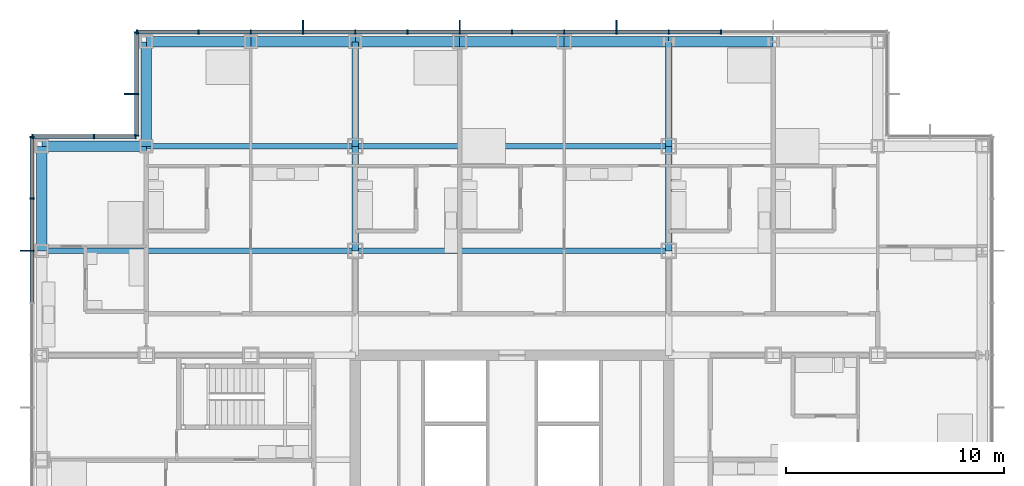
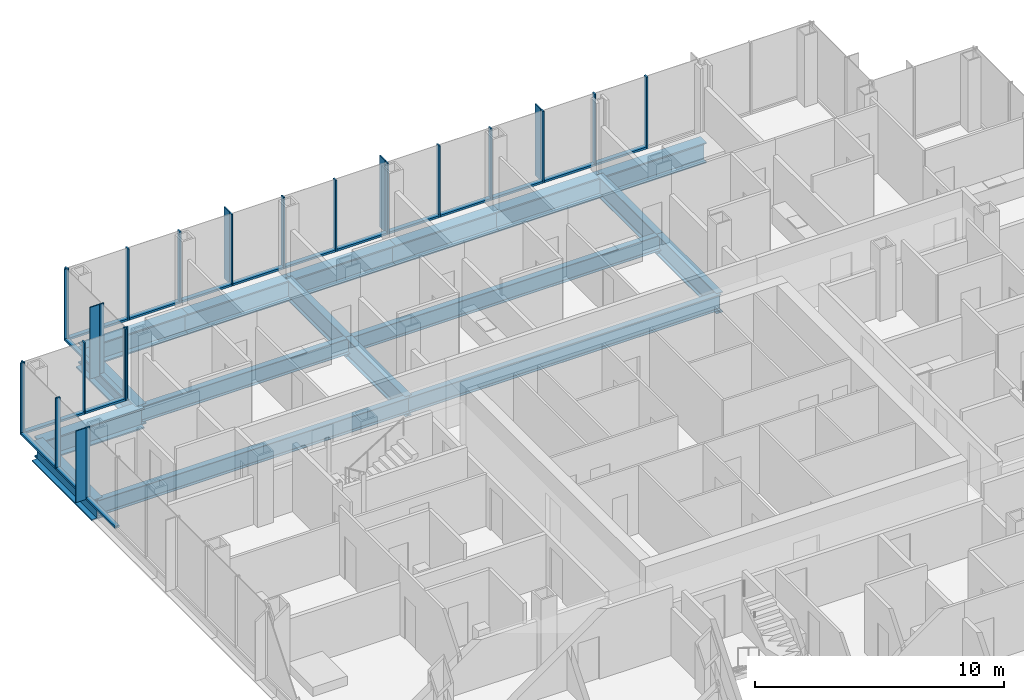
# One storey, part 10 of 21: 44 members, 17 beams, 4 elements without a shape of their own.
"""IFC4 building model written with IfcOpenShell, lengths in metres."""

from ifc_helpers import new_model, si_unit, direction, frame, origin, origin_2d, place, context, subcontext, project, spatial, rectangle, i_section, extrude, material, material_profile, profile_set, type_object, element, aggregate, save


model = new_model("IFC4")

# Units and contexts
model_context = context("Model", 3, precision=1e-05, world=origin(), true_north=direction((0.0, 1.0)))
body_context = subcontext(model_context, "Body", "Model", "MODEL_VIEW")
ifc_project = project(units=[si_unit("LENGTHUNIT", "METRE"), si_unit("AREAUNIT", "SQUARE_METRE"), si_unit("VOLUMEUNIT", "CUBIC_METRE"), si_unit("PLANEANGLEUNIT", "RADIAN"), si_unit("MASSUNIT", "GRAM", prefix="KILO")], contexts=[model_context])

# Site, building, storey
site_placement = place(None, origin())
site = spatial("IfcSite", under=ifc_project, at=site_placement, CompositionType="ELEMENT")
building_placement = place(site_placement, origin())
building = spatial("IfcBuilding", under=site, at=building_placement, Name="Kvirike Care Tower", CompositionType="ELEMENT")
storey_placement = place(building_placement, frame((0.0, 0.0, 30.5)))
storey = spatial("IfcBuildingStorey", under=building, at=storey_placement, Name="L07", CompositionType="ELEMENT", Elevation=30.5)

# Curtain wall, member
ifc_material_1 = material(Name="Anodised aluminium stick system", Category="aluminium")
curtain_wall_type = type_object("IfcCurtainWallType", Name="CW-A STICK CURTAIN WALL", PredefinedType="NOTDEFINED", material=ifc_material_1)
curtain_wall_1_placement = place(storey_placement, origin())
curtain_wall_1 = element("IfcCurtainWall", 1, at=curtain_wall_1_placement, inside=storey, type_object=curtain_wall_type, Name="Curtain wall L07 face 1", PredefinedType="NOTDEFINED")
ifc_material_2 = material(Name="Bronze anodised aluminium fin", Category="aluminium")
ifc_material_profile_1 = material_profile(ifc_material_2, rectangle(XDim=0.050048828125, YDim=0.449951171875, at=origin_2d()), Name="BRONZE FIN 450")
ifc_profile_set_1 = profile_set([ifc_material_profile_1], Name="Bronze anodised aluminium fin")
member_type_1 = type_object("IfcMemberType", Name="BRONZE FIN 450", PredefinedType="USERDEFINED", material=ifc_profile_set_1)
member_1_placement = place(storey_placement, frame((-0.77490234375, 48.0, 0.0), z_axis=(0.0, 0.0, 1.0), x_axis=(0.0, -1.0, 0.0)))
member_1 = element("IfcMember", 2, at=member_1_placement, type_object=member_type_1, Name="Bronze fin L07 face 1.3", ObjectType="FIN", PredefinedType="USERDEFINED", context=body_context, shape_type="SweptSolid", body=[
    extrude(rectangle(XDim=0.050048828125, YDim=0.449951171875, at=origin_2d()), origin(), (0.0, 0.0, 1.0), 3.5),
])

# Curtain wall, members
curtain_wall_2_placement = place(storey_placement, origin())
curtain_wall_2 = element("IfcCurtainWall", 3, at=curtain_wall_2_placement, inside=storey, type_object=curtain_wall_type, Name="Curtain wall L07 face 10", PredefinedType="NOTDEFINED")
member_2_placement = place(storey_placement, frame((26.39990234375, 58.375, 0.0), z_axis=(0.0, 0.0, 1.0), x_axis=(-1.0, 0.0, 0.0)))
member_2 = element("IfcMember", 4, at=member_2_placement, type_object=member_type_1, Name="Bronze fin L07 face 10.6", ObjectType="FIN", PredefinedType="USERDEFINED", context=body_context, shape_type="SweptSolid", body=[
    extrude(rectangle(XDim=0.050048828125, YDim=0.449951171875, at=origin_2d()), origin(), (0.0, 0.0, 1.0), 3.5),
])
member_3_placement = place(storey_placement, frame((19.199951171875, 58.375, 0.0), z_axis=(0.0, 0.0, 1.0), x_axis=(-1.0, 0.0, 0.0)))
member_3 = element("IfcMember", 5, at=member_3_placement, type_object=member_type_1, Name="Bronze fin L07 face 10.9", ObjectType="FIN", PredefinedType="USERDEFINED", context=body_context, shape_type="SweptSolid", body=[
    extrude(rectangle(XDim=0.050048828125, YDim=0.449951171875, at=origin_2d()), origin(), (0.0, 0.0, 1.0), 3.5),
])
member_4_placement = place(storey_placement, frame((12.0, 58.375, 0.0), z_axis=(0.0, 0.0, 1.0), x_axis=(-1.0, 0.0, 0.0)))
member_4 = element("IfcMember", 6, at=member_4_placement, type_object=member_type_1, Name="Bronze fin L07 face 10.12", ObjectType="FIN", PredefinedType="USERDEFINED", context=body_context, shape_type="SweptSolid", body=[
    extrude(rectangle(XDim=0.050048828125, YDim=0.449951171875, at=origin_2d()), origin(), (0.0, 0.0, 1.0), 3.5),
])

# Curtain wall, member
curtain_wall_3_placement = place(storey_placement, origin())
curtain_wall_3 = element("IfcCurtainWall", 7, at=curtain_wall_3_placement, inside=storey, type_object=curtain_wall_type, Name="Curtain wall L07 face 11", PredefinedType="NOTDEFINED")
member_5_placement = place(storey_placement, frame((4.02490234375, 55.199951171875, 0.0), z_axis=(0.0, 0.0, 1.0), x_axis=(0.0, -1.0, 0.0)))
member_5 = element("IfcMember", 8, at=member_5_placement, type_object=member_type_1, Name="Bronze fin L07 face 11.2", ObjectType="FIN", PredefinedType="USERDEFINED", context=body_context, shape_type="SweptSolid", body=[
    extrude(rectangle(XDim=0.050048828125, YDim=0.449951171875, at=origin_2d()), origin(), (0.0, 0.0, 1.0), 3.5),
])

# Member
ifc_material_3 = material(Name="Bronze anodised aluminium mullion", Category="aluminium")
ifc_material_profile_2 = material_profile(ifc_material_3, rectangle(XDim=0.06494140625, YDim=0.199951171875, at=origin_2d()), Name="CW-A MULLION 65x200")
ifc_profile_set_2 = profile_set([ifc_material_profile_2], Name="Bronze anodised aluminium mullion")
member_type_2 = type_object("IfcMemberType", Name="CW-A MULLION 65x200", PredefinedType="MULLION", material=ifc_profile_set_2)
member_6_placement = place(storey_placement, frame((-0.449951171875, 53.217529296875, 0.0), z_axis=(0.0, 0.0, 1.0), x_axis=(0.0, -1.0, 0.0)))
member_6 = element("IfcMember", 9, at=member_6_placement, type_object=member_type_2, Name="CW-A mullion L07 face 1.1", PredefinedType="MULLION", context=body_context, shape_type="SweptSolid", body=[
    extrude(rectangle(XDim=0.06494140625, YDim=0.199951171875, at=origin_2d()), origin(), (0.0, 0.0, 1.0), 3.5),
])

member_7_placement = place(storey_placement, frame((-0.449951171875, 50.39990234375, 0.0), z_axis=(0.0, 0.0, 1.0), x_axis=(0.0, -1.0, 0.0)))
member_7 = element("IfcMember", 10, at=member_7_placement, type_object=member_type_2, Name="CW-A mullion L07 face 1.2", PredefinedType="MULLION", context=body_context, shape_type="SweptSolid", body=[
    extrude(rectangle(XDim=0.06494140625, YDim=0.199951171875, at=origin_2d()), origin(), (0.0, 0.0, 1.0), 3.5),
])

member_8_placement = place(storey_placement, frame((-0.449951171875, 48.0, 0.0), z_axis=(0.0, 0.0, 1.0), x_axis=(0.0, -1.0, 0.0)))
member_8 = element("IfcMember", 11, at=member_8_placement, type_object=member_type_2, Name="CW-A mullion L07 face 1.3", PredefinedType="MULLION", context=body_context, shape_type="SweptSolid", body=[
    extrude(rectangle(XDim=0.06494140625, YDim=0.199951171875, at=origin_2d()), origin(), (0.0, 0.0, 1.0), 3.5),
])

member_9_placement = place(storey_placement, frame((31.199951171875, 58.050048828125, 0.0), z_axis=(0.0, 0.0, 1.0), x_axis=(-1.0, 0.0, 0.0)))
member_9 = element("IfcMember", 12, at=member_9_placement, type_object=member_type_2, Name="CW-A mullion L07 face 10.4", PredefinedType="MULLION", context=body_context, shape_type="SweptSolid", body=[
    extrude(rectangle(XDim=0.06494140625, YDim=0.199951171875, at=origin_2d()), origin(), (0.0, 0.0, 1.0), 3.5),
])

member_10_placement = place(storey_placement, frame((28.800048828125, 58.050048828125, 0.0), z_axis=(0.0, 0.0, 1.0), x_axis=(-1.0, 0.0, 0.0)))
member_10 = element("IfcMember", 13, at=member_10_placement, type_object=member_type_2, Name="CW-A mullion L07 face 10.5", PredefinedType="MULLION", context=body_context, shape_type="SweptSolid", body=[
    extrude(rectangle(XDim=0.06494140625, YDim=0.199951171875, at=origin_2d()), origin(), (0.0, 0.0, 1.0), 3.5),
])

member_11_placement = place(storey_placement, frame((26.39990234375, 58.050048828125, 0.0), z_axis=(0.0, 0.0, 1.0), x_axis=(-1.0, 0.0, 0.0)))
member_11 = element("IfcMember", 14, at=member_11_placement, type_object=member_type_2, Name="CW-A mullion L07 face 10.6", PredefinedType="MULLION", context=body_context, shape_type="SweptSolid", body=[
    extrude(rectangle(XDim=0.06494140625, YDim=0.199951171875, at=origin_2d()), origin(), (0.0, 0.0, 1.0), 3.5),
])

member_12_placement = place(storey_placement, frame((24.0, 58.050048828125, 0.0), z_axis=(0.0, 0.0, 1.0), x_axis=(-1.0, 0.0, 0.0)))
member_12 = element("IfcMember", 15, at=member_12_placement, type_object=member_type_2, Name="CW-A mullion L07 face 10.7", PredefinedType="MULLION", context=body_context, shape_type="SweptSolid", body=[
    extrude(rectangle(XDim=0.06494140625, YDim=0.199951171875, at=origin_2d()), origin(), (0.0, 0.0, 1.0), 3.5),
])

member_13_placement = place(storey_placement, frame((21.60009765625, 58.050048828125, 0.0), z_axis=(0.0, 0.0, 1.0), x_axis=(-1.0, 0.0, 0.0)))
member_13 = element("IfcMember", 16, at=member_13_placement, type_object=member_type_2, Name="CW-A mullion L07 face 10.8", PredefinedType="MULLION", context=body_context, shape_type="SweptSolid", body=[
    extrude(rectangle(XDim=0.06494140625, YDim=0.199951171875, at=origin_2d()), origin(), (0.0, 0.0, 1.0), 3.5),
])

member_14_placement = place(storey_placement, frame((19.199951171875, 58.050048828125, 0.0), z_axis=(0.0, 0.0, 1.0), x_axis=(-1.0, 0.0, 0.0)))
member_14 = element("IfcMember", 17, at=member_14_placement, type_object=member_type_2, Name="CW-A mullion L07 face 10.9", PredefinedType="MULLION", context=body_context, shape_type="SweptSolid", body=[
    extrude(rectangle(XDim=0.06494140625, YDim=0.199951171875, at=origin_2d()), origin(), (0.0, 0.0, 1.0), 3.5),
])

member_15_placement = place(storey_placement, frame((16.800048828125, 58.050048828125, 0.0), z_axis=(0.0, 0.0, 1.0), x_axis=(-1.0, 0.0, 0.0)))
member_15 = element("IfcMember", 18, at=member_15_placement, type_object=member_type_2, Name="CW-A mullion L07 face 10.10", PredefinedType="MULLION", context=body_context, shape_type="SweptSolid", body=[
    extrude(rectangle(XDim=0.06494140625, YDim=0.199951171875, at=origin_2d()), origin(), (0.0, 0.0, 1.0), 3.5),
])

member_16_placement = place(storey_placement, frame((14.39990234375, 58.050048828125, 0.0), z_axis=(0.0, 0.0, 1.0), x_axis=(-1.0, 0.0, 0.0)))
member_16 = element("IfcMember", 19, at=member_16_placement, type_object=member_type_2, Name="CW-A mullion L07 face 10.11", PredefinedType="MULLION", context=body_context, shape_type="SweptSolid", body=[
    extrude(rectangle(XDim=0.06494140625, YDim=0.199951171875, at=origin_2d()), origin(), (0.0, 0.0, 1.0), 3.5),
])

member_17_placement = place(storey_placement, frame((12.0, 58.050048828125, 0.0), z_axis=(0.0, 0.0, 1.0), x_axis=(-1.0, 0.0, 0.0)))
member_17 = element("IfcMember", 20, at=member_17_placement, type_object=member_type_2, Name="CW-A mullion L07 face 10.12", PredefinedType="MULLION", context=body_context, shape_type="SweptSolid", body=[
    extrude(rectangle(XDim=0.06494140625, YDim=0.199951171875, at=origin_2d()), origin(), (0.0, 0.0, 1.0), 3.5),
])

member_18_placement = place(storey_placement, frame((9.60009765625, 58.050048828125, 0.0), z_axis=(0.0, 0.0, 1.0), x_axis=(-1.0, 0.0, 0.0)))
member_18 = element("IfcMember", 21, at=member_18_placement, type_object=member_type_2, Name="CW-A mullion L07 face 10.13", PredefinedType="MULLION", context=body_context, shape_type="SweptSolid", body=[
    extrude(rectangle(XDim=0.06494140625, YDim=0.199951171875, at=origin_2d()), origin(), (0.0, 0.0, 1.0), 3.5),
])

member_19_placement = place(storey_placement, frame((7.199951171875, 58.050048828125, 0.0), z_axis=(0.0, 0.0, 1.0), x_axis=(-1.0, 0.0, 0.0)))
member_19 = element("IfcMember", 22, at=member_19_placement, type_object=member_type_2, Name="CW-A mullion L07 face 10.14", PredefinedType="MULLION", context=body_context, shape_type="SweptSolid", body=[
    extrude(rectangle(XDim=0.06494140625, YDim=0.199951171875, at=origin_2d()), origin(), (0.0, 0.0, 1.0), 3.5),
])

member_20_placement = place(storey_placement, frame((4.382568359375, 58.050048828125, 0.0), z_axis=(0.0, 0.0, 1.0), x_axis=(-1.0, 0.0, 0.0)))
member_20 = element("IfcMember", 23, at=member_20_placement, type_object=member_type_2, Name="CW-A mullion L07 face 10.15", PredefinedType="MULLION", context=body_context, shape_type="SweptSolid", body=[
    extrude(rectangle(XDim=0.06494140625, YDim=0.199951171875, at=origin_2d()), origin(), (0.0, 0.0, 1.0), 3.5),
])

member_21_placement = place(storey_placement, frame((4.35009765625, 58.017578125, 0.0), z_axis=(0.0, 0.0, 1.0), x_axis=(0.0, -1.0, 0.0)))
member_21 = element("IfcMember", 24, at=member_21_placement, type_object=member_type_2, Name="CW-A mullion L07 face 11.1", PredefinedType="MULLION", context=body_context, shape_type="SweptSolid", body=[
    extrude(rectangle(XDim=0.06494140625, YDim=0.199951171875, at=origin_2d()), origin(), (0.0, 0.0, 1.0), 3.5),
])

member_22_placement = place(storey_placement, frame((4.35009765625, 55.199951171875, 0.0), z_axis=(0.0, 0.0, 1.0), x_axis=(0.0, -1.0, 0.0)))
member_22 = element("IfcMember", 25, at=member_22_placement, type_object=member_type_2, Name="CW-A mullion L07 face 11.2", PredefinedType="MULLION", context=body_context, shape_type="SweptSolid", body=[
    extrude(rectangle(XDim=0.06494140625, YDim=0.199951171875, at=origin_2d()), origin(), (0.0, 0.0, 1.0), 3.5),
])

member_23_placement = place(storey_placement, frame((4.35009765625, 53.282470703125, 0.0), z_axis=(0.0, 0.0, 1.0), x_axis=(0.0, -1.0, 0.0)))
member_23 = element("IfcMember", 26, at=member_23_placement, type_object=member_type_2, Name="CW-A mullion L07 face 11.3", PredefinedType="MULLION", context=body_context, shape_type="SweptSolid", body=[
    extrude(rectangle(XDim=0.06494140625, YDim=0.199951171875, at=origin_2d()), origin(), (0.0, 0.0, 1.0), 3.5),
])

# Curtain wall, members
curtain_wall_4_placement = place(storey_placement, origin())
curtain_wall_4 = element("IfcCurtainWall", 27, at=curtain_wall_4_placement, inside=storey, type_object=curtain_wall_type, Name="Curtain wall L07 face 12", PredefinedType="NOTDEFINED")
member_24_placement = place(storey_placement, frame((4.3173828125, 53.25, 0.0), z_axis=(0.0, 0.0, 1.0), x_axis=(-1.0, 0.0, 0.0)))
member_24 = element("IfcMember", 28, at=member_24_placement, type_object=member_type_2, Name="CW-A mullion L07 face 12.1", PredefinedType="MULLION", context=body_context, shape_type="SweptSolid", body=[
    extrude(rectangle(XDim=0.06494140625, YDim=0.199951171875, at=origin_2d()), origin(), (0.0, 0.0, 1.0), 3.5),
])
member_25_placement = place(storey_placement, frame((2.39990234375, 53.25, 0.0), z_axis=(0.0, 0.0, 1.0), x_axis=(-1.0, 0.0, 0.0)))
member_25 = element("IfcMember", 29, at=member_25_placement, type_object=member_type_2, Name="CW-A mullion L07 face 12.2", PredefinedType="MULLION", context=body_context, shape_type="SweptSolid", body=[
    extrude(rectangle(XDim=0.06494140625, YDim=0.199951171875, at=origin_2d()), origin(), (0.0, 0.0, 1.0), 3.5),
])
member_26_placement = place(storey_placement, frame((-0.41748046875, 53.25, 0.0), z_axis=(0.0, 0.0, 1.0), x_axis=(-1.0, 0.0, 0.0)))
member_26 = element("IfcMember", 30, at=member_26_placement, type_object=member_type_2, Name="CW-A mullion L07 face 12.3", PredefinedType="MULLION", context=body_context, shape_type="SweptSolid", body=[
    extrude(rectangle(XDim=0.06494140625, YDim=0.199951171875, at=origin_2d()), origin(), (0.0, 0.0, 1.0), 3.5),
])

# Member
ifc_material_4 = material(Name="Bronze anodised aluminium transom", Category="aluminium")
ifc_material_profile_3 = material_profile(ifc_material_4, rectangle(XDim=0.199951171875, YDim=0.10009765625, at=origin_2d()), Name="CW-A TRANSOM 200x100")
ifc_profile_set_3 = profile_set([ifc_material_profile_3], Name="Bronze anodised aluminium transom")
member_type_3 = type_object("IfcMemberType", Name="CW-A TRANSOM 200x100", PredefinedType="USERDEFINED", material=ifc_profile_set_3)
member_27_placement = place(storey_placement, frame((-0.449951171875, 53.18505859375, 0.050048828125), z_axis=(0.0, -1.0, 0.0), x_axis=(1.0, 0.0, 0.0)))
member_27 = element("IfcMember", 31, at=member_27_placement, type_object=member_type_3, Name="CW-A sill transom L07 face 1.1", ObjectType="TRANSOM", PredefinedType="USERDEFINED", context=body_context, shape_type="SweptSolid", body=[
    extrude(rectangle(XDim=0.199951171875, YDim=0.10009765625, at=origin_2d()), origin(), (0.0, 0.0, 1.0), 2.75244140625),
])

member_28_placement = place(storey_placement, frame((-0.449951171875, 50.367431640625, 0.050048828125), z_axis=(0.0, -1.0, 0.0), x_axis=(1.0, 0.0, 0.0)))
member_28 = element("IfcMember", 32, at=member_28_placement, type_object=member_type_3, Name="CW-A sill transom L07 face 1.2", ObjectType="TRANSOM", PredefinedType="USERDEFINED", context=body_context, shape_type="SweptSolid", body=[
    extrude(rectangle(XDim=0.199951171875, YDim=0.10009765625, at=origin_2d()), origin(), (0.0, 0.0, 1.0), 2.3349609375),
])

member_29_placement = place(storey_placement, frame((-0.449951171875, 47.967529296875, 0.050048828125), z_axis=(0.0, -1.0, 0.0), x_axis=(1.0, 0.0, 0.0)))
member_29 = element("IfcMember", 33, at=member_29_placement, type_object=member_type_3, Name="CW-A sill transom L07 face 1.3", ObjectType="TRANSOM", PredefinedType="USERDEFINED", context=body_context, shape_type="SweptSolid", body=[
    extrude(rectangle(XDim=0.199951171875, YDim=0.10009765625, at=origin_2d()), origin(), (0.0, 0.0, 1.0), 2.3349609375),
])

aggregate(curtain_wall_1, [member_6, member_7, member_8, member_1, member_27, member_28, member_29])

member_30_placement = place(storey_placement, frame((31.16748046875, 58.050048828125, 0.050048828125), z_axis=(-1.0, 0.0, 0.0), x_axis=(0.0, -1.0, 0.0)))
member_30 = element("IfcMember", 34, at=member_30_placement, type_object=member_type_3, Name="CW-A sill transom L07 face 10.4", ObjectType="TRANSOM", PredefinedType="USERDEFINED", context=body_context, shape_type="SweptSolid", body=[
    extrude(rectangle(XDim=0.199951171875, YDim=0.10009765625, at=origin_2d()), origin(), (0.0, 0.0, 1.0), 2.3349609375),
])

member_31_placement = place(storey_placement, frame((28.767578125, 58.050048828125, 0.050048828125), z_axis=(-1.0, 0.0, 0.0), x_axis=(0.0, -1.0, 0.0)))
member_31 = element("IfcMember", 35, at=member_31_placement, type_object=member_type_3, Name="CW-A sill transom L07 face 10.5", ObjectType="TRANSOM", PredefinedType="USERDEFINED", context=body_context, shape_type="SweptSolid", body=[
    extrude(rectangle(XDim=0.199951171875, YDim=0.10009765625, at=origin_2d()), origin(), (0.0, 0.0, 1.0), 2.3349609375),
])

member_32_placement = place(storey_placement, frame((26.367431640625, 58.050048828125, 0.050048828125), z_axis=(-1.0, 0.0, 0.0), x_axis=(0.0, -1.0, 0.0)))
member_32 = element("IfcMember", 36, at=member_32_placement, type_object=member_type_3, Name="CW-A sill transom L07 face 10.6", ObjectType="TRANSOM", PredefinedType="USERDEFINED", context=body_context, shape_type="SweptSolid", body=[
    extrude(rectangle(XDim=0.199951171875, YDim=0.10009765625, at=origin_2d()), origin(), (0.0, 0.0, 1.0), 2.3349609375),
])

member_33_placement = place(storey_placement, frame((23.967529296875, 58.050048828125, 0.050048828125), z_axis=(-1.0, 0.0, 0.0), x_axis=(0.0, -1.0, 0.0)))
member_33 = element("IfcMember", 37, at=member_33_placement, type_object=member_type_3, Name="CW-A sill transom L07 face 10.7", ObjectType="TRANSOM", PredefinedType="USERDEFINED", context=body_context, shape_type="SweptSolid", body=[
    extrude(rectangle(XDim=0.199951171875, YDim=0.10009765625, at=origin_2d()), origin(), (0.0, 0.0, 1.0), 2.3349609375),
])

member_34_placement = place(storey_placement, frame((21.5673828125, 58.050048828125, 0.050048828125), z_axis=(-1.0, 0.0, 0.0), x_axis=(0.0, -1.0, 0.0)))
member_34 = element("IfcMember", 38, at=member_34_placement, type_object=member_type_3, Name="CW-A sill transom L07 face 10.8", ObjectType="TRANSOM", PredefinedType="USERDEFINED", context=body_context, shape_type="SweptSolid", body=[
    extrude(rectangle(XDim=0.199951171875, YDim=0.10009765625, at=origin_2d()), origin(), (0.0, 0.0, 1.0), 2.3349609375),
])

member_35_placement = place(storey_placement, frame((19.16748046875, 58.050048828125, 0.050048828125), z_axis=(-1.0, 0.0, 0.0), x_axis=(0.0, -1.0, 0.0)))
member_35 = element("IfcMember", 39, at=member_35_placement, type_object=member_type_3, Name="CW-A sill transom L07 face 10.9", ObjectType="TRANSOM", PredefinedType="USERDEFINED", context=body_context, shape_type="SweptSolid", body=[
    extrude(rectangle(XDim=0.199951171875, YDim=0.10009765625, at=origin_2d()), origin(), (0.0, 0.0, 1.0), 2.3349609375),
])

member_36_placement = place(storey_placement, frame((16.767578125, 58.050048828125, 0.050048828125), z_axis=(-1.0, 0.0, 0.0), x_axis=(0.0, -1.0, 0.0)))
member_36 = element("IfcMember", 40, at=member_36_placement, type_object=member_type_3, Name="CW-A sill transom L07 face 10.10", ObjectType="TRANSOM", PredefinedType="USERDEFINED", context=body_context, shape_type="SweptSolid", body=[
    extrude(rectangle(XDim=0.199951171875, YDim=0.10009765625, at=origin_2d()), origin(), (0.0, 0.0, 1.0), 2.3349609375),
])

member_37_placement = place(storey_placement, frame((14.367431640625, 58.050048828125, 0.050048828125), z_axis=(-1.0, 0.0, 0.0), x_axis=(0.0, -1.0, 0.0)))
member_37 = element("IfcMember", 41, at=member_37_placement, type_object=member_type_3, Name="CW-A sill transom L07 face 10.11", ObjectType="TRANSOM", PredefinedType="USERDEFINED", context=body_context, shape_type="SweptSolid", body=[
    extrude(rectangle(XDim=0.199951171875, YDim=0.10009765625, at=origin_2d()), origin(), (0.0, 0.0, 1.0), 2.3349609375),
])

member_38_placement = place(storey_placement, frame((11.967529296875, 58.050048828125, 0.050048828125), z_axis=(-1.0, 0.0, 0.0), x_axis=(0.0, -1.0, 0.0)))
member_38 = element("IfcMember", 42, at=member_38_placement, type_object=member_type_3, Name="CW-A sill transom L07 face 10.12", ObjectType="TRANSOM", PredefinedType="USERDEFINED", context=body_context, shape_type="SweptSolid", body=[
    extrude(rectangle(XDim=0.199951171875, YDim=0.10009765625, at=origin_2d()), origin(), (0.0, 0.0, 1.0), 2.3349609375),
])

member_39_placement = place(storey_placement, frame((9.5673828125, 58.050048828125, 0.050048828125), z_axis=(-1.0, 0.0, 0.0), x_axis=(0.0, -1.0, 0.0)))
member_39 = element("IfcMember", 43, at=member_39_placement, type_object=member_type_3, Name="CW-A sill transom L07 face 10.13", ObjectType="TRANSOM", PredefinedType="USERDEFINED", context=body_context, shape_type="SweptSolid", body=[
    extrude(rectangle(XDim=0.199951171875, YDim=0.10009765625, at=origin_2d()), origin(), (0.0, 0.0, 1.0), 2.3349609375),
])

member_40_placement = place(storey_placement, frame((7.16748046875, 58.050048828125, 0.050048828125), z_axis=(-1.0, 0.0, 0.0), x_axis=(0.0, -1.0, 0.0)))
member_40 = element("IfcMember", 44, at=member_40_placement, type_object=member_type_3, Name="CW-A sill transom L07 face 10.14", ObjectType="TRANSOM", PredefinedType="USERDEFINED", context=body_context, shape_type="SweptSolid", body=[
    extrude(rectangle(XDim=0.199951171875, YDim=0.10009765625, at=origin_2d()), origin(), (0.0, 0.0, 1.0), 2.75244140625),
])

aggregate(curtain_wall_2, [member_9, member_10, member_11, member_2, member_12, member_13, member_14, member_3, member_15, member_16, member_17, member_4, member_18, member_19, member_20, member_30, member_31, member_32, member_33, member_34, member_35, member_36, member_37, member_38, member_39, member_40])

member_41_placement = place(storey_placement, frame((4.35009765625, 57.985107421875, 0.050048828125), z_axis=(0.0, -1.0, 0.0), x_axis=(1.0, 0.0, 0.0)))
member_41 = element("IfcMember", 45, at=member_41_placement, type_object=member_type_3, Name="CW-A sill transom L07 face 11.1", ObjectType="TRANSOM", PredefinedType="USERDEFINED", context=body_context, shape_type="SweptSolid", body=[
    extrude(rectangle(XDim=0.199951171875, YDim=0.10009765625, at=origin_2d()), origin(), (0.0, 0.0, 1.0), 2.752685546875),
])

member_42_placement = place(storey_placement, frame((4.35009765625, 55.16748046875, 0.050048828125), z_axis=(0.0, -1.0, 0.0), x_axis=(1.0, 0.0, 0.0)))
member_42 = element("IfcMember", 46, at=member_42_placement, type_object=member_type_3, Name="CW-A sill transom L07 face 11.2", ObjectType="TRANSOM", PredefinedType="USERDEFINED", context=body_context, shape_type="SweptSolid", body=[
    extrude(rectangle(XDim=0.199951171875, YDim=0.10009765625, at=origin_2d()), origin(), (0.0, 0.0, 1.0), 1.8525390625),
])

aggregate(curtain_wall_3, [member_21, member_22, member_5, member_23, member_41, member_42])

member_43_placement = place(storey_placement, frame((4.284912109375, 53.25, 0.050048828125), z_axis=(-1.0, 0.0, 0.0), x_axis=(0.0, -1.0, 0.0)))
member_43 = element("IfcMember", 47, at=member_43_placement, type_object=member_type_3, Name="CW-A sill transom L07 face 12.1", ObjectType="TRANSOM", PredefinedType="USERDEFINED", context=body_context, shape_type="SweptSolid", body=[
    extrude(rectangle(XDim=0.199951171875, YDim=0.10009765625, at=origin_2d()), origin(), (0.0, 0.0, 1.0), 1.852294921875),
])

member_44_placement = place(storey_placement, frame((2.367431640625, 53.25, 0.050048828125), z_axis=(-1.0, 0.0, 0.0), x_axis=(0.0, -1.0, 0.0)))
member_44 = element("IfcMember", 48, at=member_44_placement, type_object=member_type_3, Name="CW-A sill transom L07 face 12.2", ObjectType="TRANSOM", PredefinedType="USERDEFINED", context=body_context, shape_type="SweptSolid", body=[
    extrude(rectangle(XDim=0.199951171875, YDim=0.10009765625, at=origin_2d()), origin(), (0.0, 0.0, 1.0), 2.75244140625),
])

aggregate(curtain_wall_4, [member_24, member_25, member_26, member_43, member_44])

# Beams
ifc_material_5 = material(Name="Steel S355", Category="steel")
ifc_material_profile_4 = material_profile(ifc_material_5, i_section(OverallWidth=0.26806640625, OverallDepth=0.77001953125, WebThickness=0.015625, FlangeThickness=0.025390625, FilletRadius=0.01708984375, at=origin_2d()), Name="IPE 750x196")
ifc_profile_set_4 = profile_set([ifc_material_profile_4], Name="Steel S355")
beam_type_1 = type_object("IfcBeamType", Name="FLOOR BEAM IPE 750x196", PredefinedType="BEAM", material=ifc_profile_set_4)
beam_1_placement = place(storey_placement, frame((0.0, 48.0, -0.554931640625), z_axis=(1.0, 0.0, 0.0), x_axis=(0.0, 1.0, 0.0)))
element("IfcBeam", 49, at=beam_1_placement, inside=storey, type_object=beam_type_1, Name="Floor Beam L3-L6 L07", PredefinedType="BEAM", context=body_context, shape_type="SweptSolid", body=[
    extrude(i_section(OverallWidth=0.26806640625, OverallDepth=0.77001953125, WebThickness=0.015625, FlangeThickness=0.025390625, FilletRadius=0.01708984375, at=origin_2d()), origin(), (0.0, 0.0, 1.0), 14.39990234375),
])
beam_2_placement = place(storey_placement, frame((14.39990234375, 48.0, -0.554931640625), z_axis=(1.0, 0.0, 0.0), x_axis=(0.0, 1.0, 0.0)))
element("IfcBeam", 50, at=beam_2_placement, inside=storey, type_object=beam_type_1, Name="Floor Beam L6-L9 L07", PredefinedType="BEAM", context=body_context, shape_type="SweptSolid", body=[
    extrude(i_section(OverallWidth=0.26806640625, OverallDepth=0.77001953125, WebThickness=0.015625, FlangeThickness=0.025390625, FilletRadius=0.01708984375, at=origin_2d()), origin(), (0.0, 0.0, 1.0), 14.400146484375),
])
beam_3_placement = place(storey_placement, frame((4.800048828125, 52.800048828125, -0.554931640625), z_axis=(1.0, 0.0, 0.0), x_axis=(0.0, 1.0, 0.0)))
element("IfcBeam", 51, at=beam_3_placement, inside=storey, type_object=beam_type_1, Name="Floor Beam M4-M6 L07", PredefinedType="BEAM", context=body_context, shape_type="SweptSolid", body=[
    extrude(i_section(OverallWidth=0.26806640625, OverallDepth=0.77001953125, WebThickness=0.015625, FlangeThickness=0.025390625, FilletRadius=0.01708984375, at=origin_2d()), origin(), (0.0, 0.0, 1.0), 9.599853515625),
])
beam_4_placement = place(storey_placement, frame((14.39990234375, 52.800048828125, -0.554931640625), z_axis=(1.0, 0.0, 0.0), x_axis=(0.0, 1.0, 0.0)))
element("IfcBeam", 52, at=beam_4_placement, inside=storey, type_object=beam_type_1, Name="Floor Beam M6-M9 L07", PredefinedType="BEAM", context=body_context, shape_type="SweptSolid", body=[
    extrude(i_section(OverallWidth=0.26806640625, OverallDepth=0.77001953125, WebThickness=0.015625, FlangeThickness=0.025390625, FilletRadius=0.01708984375, at=origin_2d()), origin(), (0.0, 0.0, 1.0), 14.400146484375),
])
ifc_material_6 = material(Name="Steel S355", Category="steel")
ifc_material_profile_5 = material_profile(ifc_material_6, i_section(OverallWidth=0.300048828125, OverallDepth=1.0, WebThickness=0.01904296875, FlangeThickness=0.035888671875, FilletRadius=0.030029296875, at=origin_2d()), Name="HE 1000 B")
ifc_profile_set_5 = profile_set([ifc_material_profile_5], Name="Steel S355")
beam_type_2 = type_object("IfcBeamType", Name="FRAME BEAM HE 1000 B", PredefinedType="BEAM", material=ifc_profile_set_5)
for number, where, z_axis, x_axis, name in (
    (53, (14.39990234375, 48.0, -0.669921875), (0.0, 1.0, 0.0), (-1.0, 0.0, 0.0), "Frame Beam L6-M6 L07"),
    (54, (14.39990234375, 52.800048828125, -0.669921875), (0.0, 1.0, 0.0), (-1.0, 0.0, 0.0), "Frame Beam M6-N6 L07"),
    (55, (28.800048828125, 48.0, -0.669921875), (0.0, 1.0, 0.0), (-1.0, 0.0, 0.0), "Frame Beam L9-M9 L07"),
    (56, (28.800048828125, 52.800048828125, -0.669921875), (0.0, 1.0, 0.0), (-1.0, 0.0, 0.0), "Frame Beam M9-N9 L07"),
):
    element("IfcBeam", number, at=place(storey_placement, frame(where, z_axis=z_axis, x_axis=x_axis)), inside=storey, type_object=beam_type_2, Name=name, PredefinedType="BEAM", context=body_context, shape_type="SweptSolid", body=[
        extrude(i_section(OverallWidth=0.300048828125, OverallDepth=1.0, WebThickness=0.01904296875, FlangeThickness=0.035888671875, FilletRadius=0.030029296875, at=origin_2d()), origin(), (0.0, 0.0, 1.0), 4.800048828125),
    ])
ifc_material_7 = material(Name="Steel S355", Category="steel")
ifc_material_profile_6 = material_profile(ifc_material_7, i_section(OverallWidth=0.5, OverallDepth=1.0, WebThickness=0.030029296875, FlangeThickness=0.06005859375, at=origin_2d()), Name="PG 1000x500x30x60")
ifc_profile_set_6 = profile_set([ifc_material_profile_6], Name="Steel S355")
beam_type_3 = type_object("IfcBeamType", Name="SPANDREL PG 1000x500x30x60", PredefinedType="SPANDREL", material=ifc_profile_set_6)
for number, where, z_axis, x_axis, name in (
    (57, (0.0, 52.800048828125, -0.669921875), (1.0, 0.0, 0.0), (0.0, 1.0, 0.0), "Spandrel M3-M4 L07"),
    (58, (4.800048828125, 57.60009765625, -0.669921875), (1.0, 0.0, 0.0), (0.0, 1.0, 0.0), "Spandrel N4-N5 L07"),
):
    element("IfcBeam", number, at=place(storey_placement, frame(where, z_axis=z_axis, x_axis=x_axis)), inside=storey, type_object=beam_type_3, Name=name, PredefinedType="SPANDREL", context=body_context, shape_type="SweptSolid", body=[
        extrude(i_section(OverallWidth=0.5, OverallDepth=1.0, WebThickness=0.030029296875, FlangeThickness=0.06005859375, at=origin_2d()), origin(), (0.0, 0.0, 1.0), 4.800048828125),
    ])
beam_5_placement = place(storey_placement, frame((9.60009765625, 57.60009765625, -0.669921875), z_axis=(1.0, 0.0, 0.0), x_axis=(0.0, 1.0, 0.0)))
element("IfcBeam", 59, at=beam_5_placement, inside=storey, type_object=beam_type_3, Name="Spandrel N5-N6 L07", PredefinedType="SPANDREL", context=body_context, shape_type="SweptSolid", body=[
    extrude(i_section(OverallWidth=0.5, OverallDepth=1.0, WebThickness=0.030029296875, FlangeThickness=0.06005859375, at=origin_2d()), origin(), (0.0, 0.0, 1.0), 4.7998046875),
])
for number, where, z_axis, x_axis, name in (
    (60, (14.39990234375, 57.60009765625, -0.669921875), (1.0, 0.0, 0.0), (0.0, 1.0, 0.0), "Spandrel N6-N7 L07"),
    (61, (19.199951171875, 57.60009765625, -0.669921875), (1.0, 0.0, 0.0), (0.0, 1.0, 0.0), "Spandrel N7-N8 L07"),
    (62, (24.0, 57.60009765625, -0.669921875), (1.0, 0.0, 0.0), (0.0, 1.0, 0.0), "Spandrel N8-N9 L07"),
    (63, (28.800048828125, 57.60009765625, -0.669921875), (1.0, 0.0, 0.0), (0.0, 1.0, 0.0), "Spandrel N9-N10 L07"),
    (64, (0.0, 48.0, -0.669921875), (0.0, 1.0, 0.0), (-1.0, 0.0, 0.0), "Spandrel L3-M3 L07"),
    (65, (4.800048828125, 52.800048828125, -0.669921875), (0.0, 1.0, 0.0), (-1.0, 0.0, 0.0), "Spandrel M4-N4 L07"),
):
    element("IfcBeam", number, at=place(storey_placement, frame(where, z_axis=z_axis, x_axis=x_axis)), inside=storey, type_object=beam_type_3, Name=name, PredefinedType="SPANDREL", context=body_context, shape_type="SweptSolid", body=[
        extrude(i_section(OverallWidth=0.5, OverallDepth=1.0, WebThickness=0.030029296875, FlangeThickness=0.06005859375, at=origin_2d()), origin(), (0.0, 0.0, 1.0), 4.800048828125),
    ])

save(model, "model.ifc")
